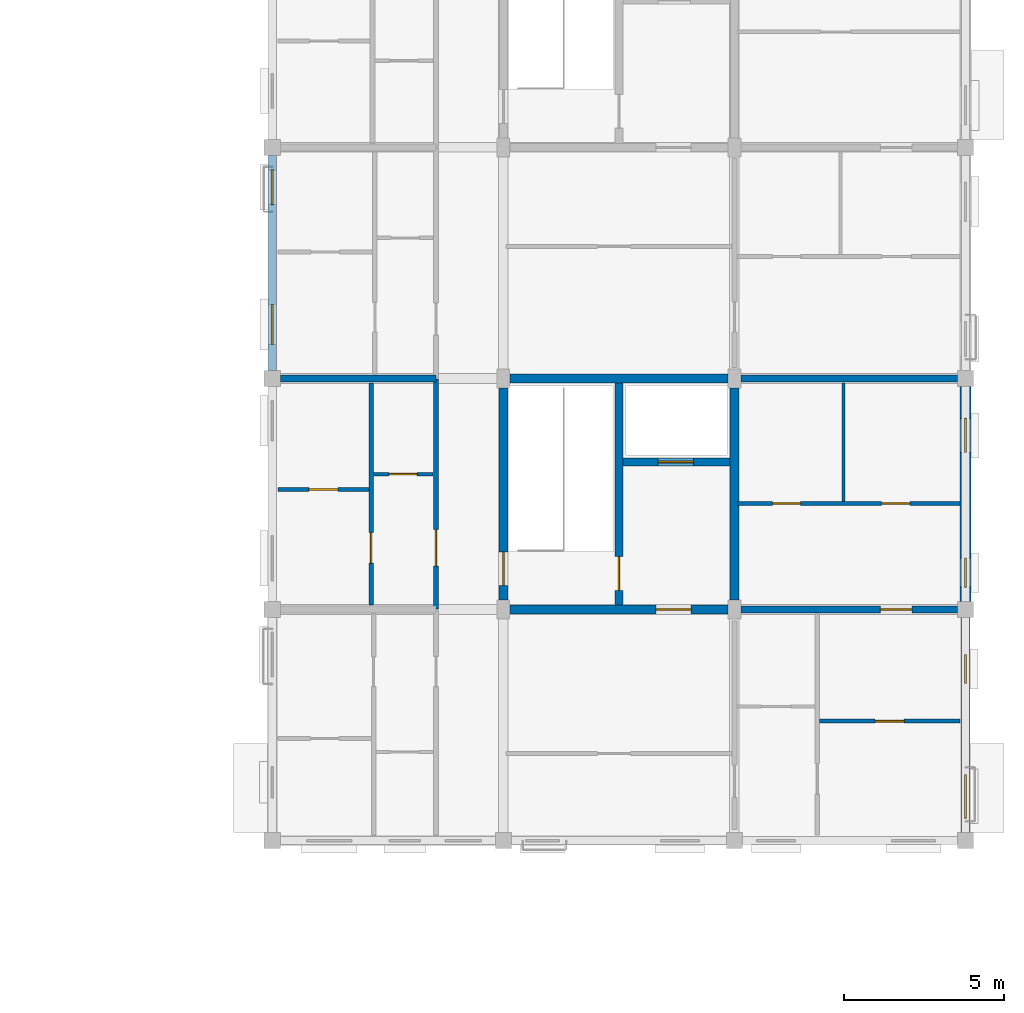
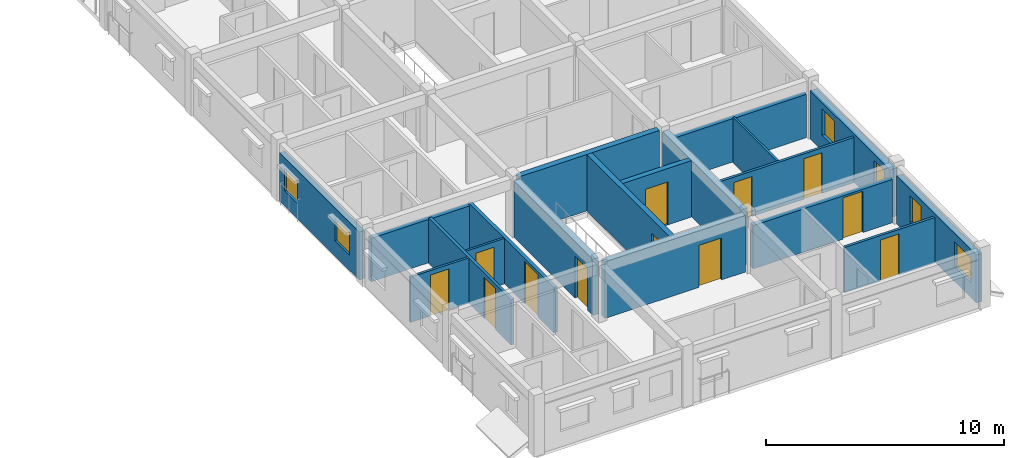
# One storey, part 22 of 38: 19 walls, 12 doors, 6 windows, 18 openings.
"""IFC4 building model written with IfcOpenShell, lengths in metres."""

from ifc_helpers import new_model, si_unit, direction, frame, frame_2d, origin, place, context, subcontext, project, spatial, rectangle, extrude, material, layer, layer_set, type_object, element, fill, save


model = new_model("IFC4")

# Units and contexts
model_context = context("Model", 3, precision=1e-05, world=origin(), true_north=direction((0.0, 1.0)))
body_context = subcontext(model_context, "Body", "Model", "MODEL_VIEW")
ifc_project = project(units=[si_unit("LENGTHUNIT", "METRE"), si_unit("AREAUNIT", "SQUARE_METRE"), si_unit("VOLUMEUNIT", "CUBIC_METRE"), si_unit("PLANEANGLEUNIT", "RADIAN"), si_unit("MASSUNIT", "GRAM", prefix="KILO"), si_unit("THERMODYNAMICTEMPERATUREUNIT", "KELVIN"), si_unit("POWERUNIT", "WATT")], contexts=[model_context])

# Site, building, storey
site_placement = place(None, origin())
site = spatial("IfcSite", under=ifc_project, at=site_placement, CompositionType="ELEMENT")
building_placement = place(site_placement, origin())
building = spatial("IfcBuilding", under=site, at=building_placement, Name="Tavuni Mirador Residences", CompositionType="ELEMENT")
storey_placement = place(building_placement, frame((0.0, 0.0, 32.85009765625)))
storey = spatial("IfcBuildingStorey", under=building, at=storey_placement, Name="L10", CompositionType="ELEMENT", Elevation=32.85009765625)

# Wall, opening, door
ifc_material_1 = material(Name="Precast concrete C40/50", Category="concrete")
ifc_layer_1 = layer(ifc_material_1, 0.25, Name="Precast concrete C40/50", Category="concrete")
ifc_layer_set_1 = layer_set([ifc_layer_1], Name="Precast concrete C40/50")
wall_type_1 = type_object("IfcWallType", Name="WT-COR250", PredefinedType="SHEAR", material=ifc_layer_set_1)
wall_1_placement = place(storey_placement, frame((108.0, 93.739990234375, 0.0), z_axis=(0.0, 0.0, 1.0), x_axis=(0.0, 1.0, 0.0)))
wall_1 = element("IfcWall", 1, at=wall_1_placement, inside=storey, type_object=wall_type_1, Name="CWALL-C7-L10-MID", PredefinedType="SHEAR", context=body_context, shape_type="SweptSolid", body=[
    extrude(rectangle(XDim=6.919921875, YDim=0.25, at=frame_2d((3.4599609375, 0.0))), origin(), (0.0, 0.0, 1.0), 2.889892578125),
])
opening_1_placement = place(wall_1_placement, frame((0.4599609375, 0.0, 0.0)))
opening_1 = element("IfcOpeningElement", 2, at=opening_1_placement, cuts=wall_1, Name="Opening D-01", PredefinedType="OPENING", context=body_context, shape_type="SweptSolid", body=[
    extrude(rectangle(XDim=1.050048828125, YDim=2.14990234375, at=frame_2d((0.52490234375, 1.074951171875))), frame((0.0, 0.135009765625, 0.0), z_axis=(0.0, -1.0, 0.0), x_axis=(1.0, 0.0, 0.0)), (0.0, 0.0, 1.0), 0.27001953125),
])
ifc_material_2 = material(Name="Solid core iroko timber", Category="wood")
door_type_1 = type_object("IfcDoorType", Name="DT-ST1050", OperationType="NOTDEFINED", PredefinedType="DOOR", material=ifc_material_2)
door_1_placement = place(opening_1_placement, origin())
door_1 = element("IfcDoor", 3, at=door_1_placement, inside=storey, type_object=door_type_1, Name="DR-2307", OperationType="SINGLE_SWING_LEFT", OverallHeight=2.14990234375, OverallWidth=1.050048828125, PredefinedType="DOOR", context=body_context, shape_type="SweptSolid", body=[
    extrude(rectangle(XDim=1.050048828125, YDim=2.14990234375, at=frame_2d((0.52490234375, 1.074951171875))), frame((0.0, 0.02490234375, 0.0), z_axis=(0.0, -1.0, 0.0), x_axis=(1.0, 0.0, 0.0)), (0.0, 0.0, 1.0), 0.050048828125),
])
fill(opening_1, door_1)

wall_2_placement = place(storey_placement, frame((108.125, 98.199951171875, 0.0), z_axis=(0.0, 0.0, 1.0), x_axis=(1.0, 0.0, 0.0)))
wall_2 = element("IfcWall", 4, at=wall_2_placement, inside=storey, type_object=wall_type_1, Name="CWALL-C7-L10-SHF", PredefinedType="SHEAR", context=body_context, shape_type="SweptSolid", body=[
    extrude(rectangle(XDim=3.3349609375, YDim=0.25, at=frame_2d((1.66748046875, 0.0))), origin(), (0.0, 0.0, 1.0), 2.889892578125),
])
opening_2_placement = place(wall_2_placement, frame((1.10009765625, 0.0, 0.0)))
opening_2 = element("IfcOpeningElement", 5, at=opening_2_placement, cuts=wall_2, Name="Opening LD-01", PredefinedType="OPENING", context=body_context, shape_type="SweptSolid", body=[
    extrude(rectangle(XDim=1.10009765625, YDim=2.199951171875, at=frame_2d((0.550048828125, 1.10009765625))), frame((0.0, 0.135009765625, 0.0), z_axis=(0.0, -1.0, 0.0), x_axis=(1.0, 0.0, 0.0)), (0.0, 0.0, 1.0), 0.27001953125),
])
ifc_material_3 = material(Name="Structural steel S355", Category="steel")
door_type_2 = type_object("IfcDoorType", Name="DT-LD-FF", OperationType="SLIDING_TO_LEFT", PredefinedType="DOOR", material=ifc_material_3)
door_2_placement = place(opening_2_placement, origin())
door_2 = element("IfcDoor", 6, at=door_2_placement, inside=storey, type_object=door_type_2, Name="Lift landing door FL-D1 L10", OperationType="SLIDING_TO_LEFT", OverallHeight=2.199951171875, OverallWidth=1.10009765625, PredefinedType="DOOR", context=body_context, shape_type="SweptSolid", body=[
    extrude(rectangle(XDim=1.10009765625, YDim=2.199951171875, at=frame_2d((0.550048828125, 1.10009765625))), frame((0.0, 0.02490234375, 0.0), z_axis=(0.0, -1.0, 0.0), x_axis=(1.0, 0.0, 0.0)), (0.0, 0.0, 1.0), 0.050048828125),
])
fill(opening_2, door_2)

ifc_layer_2 = layer(ifc_material_1, 0.280029296875, Name="Precast concrete C40/50", Category="concrete")
ifc_layer_set_2 = layer_set([ifc_layer_2], Name="Precast concrete C40/50")
wall_type_2 = type_object("IfcWallType", Name="WT-COR280", PredefinedType="SHEAR", material=ifc_layer_set_2)
wall_3_placement = place(storey_placement, frame((104.39990234375, 93.89990234375, 0.0), z_axis=(0.0, 0.0, 1.0), x_axis=(0.0, 1.0, 0.0)))
wall_3 = element("IfcWall", 7, at=wall_3_placement, inside=storey, type_object=wall_type_2, Name="CWALL-C7-L10-W", PredefinedType="SHEAR", context=body_context, shape_type="SweptSolid", body=[
    extrude(rectangle(XDim=6.60009765625, YDim=0.280029296875, at=frame_2d((3.300048828125, 0.0))), origin(), (0.0, 0.0, 1.0), 2.889892578125),
])
opening_3_placement = place(wall_3_placement, frame((0.449951171875, 0.0, 0.0)))
opening_3 = element("IfcOpeningElement", 8, at=opening_3_placement, cuts=wall_3, Name="Opening D-01", PredefinedType="OPENING", context=body_context, shape_type="SweptSolid", body=[
    extrude(rectangle(XDim=1.050048828125, YDim=2.14990234375, at=frame_2d((0.52490234375, 1.074951171875))), frame((0.0, 0.14990234375, 0.0), z_axis=(0.0, -1.0, 0.0), x_axis=(1.0, 0.0, 0.0)), (0.0, 0.0, 1.0), 0.300048828125),
])
door_3_placement = place(opening_3_placement, origin())
door_3 = element("IfcDoor", 9, at=door_3_placement, inside=storey, type_object=door_type_1, Name="DR-2305", OperationType="SINGLE_SWING_RIGHT", OverallHeight=2.14990234375, OverallWidth=1.050048828125, PredefinedType="DOOR", context=body_context, shape_type="SweptSolid", body=[
    extrude(rectangle(XDim=1.050048828125, YDim=2.14990234375, at=frame_2d((0.52490234375, 1.074951171875))), frame((0.0, 0.02490234375, 0.0), z_axis=(0.0, -1.0, 0.0), x_axis=(1.0, 0.0, 0.0)), (0.0, 0.0, 1.0), 0.050048828125),
])
fill(opening_3, door_3)

# Walls
wall_4_placement = place(storey_placement, frame((104.60009765625, 100.800048828125, 0.0), z_axis=(0.0, 0.0, 1.0), x_axis=(1.0, 0.0, 0.0)))
element("IfcWall", 10, at=wall_4_placement, inside=storey, type_object=wall_type_2, Name="CWALL-C7-L10-N", PredefinedType="SHEAR", context=body_context, shape_type="SweptSolid", body=[
    extrude(rectangle(XDim=6.7998046875, YDim=0.280029296875, at=frame_2d((3.39990234375, 0.0))), origin(), (0.0, 0.0, 1.0), 2.889892578125),
])
wall_5_placement = place(storey_placement, frame((111.60009765625, 93.89990234375, 0.0), z_axis=(0.0, 0.0, 1.0), x_axis=(0.0, 1.0, 0.0)))
element("IfcWall", 11, at=wall_5_placement, inside=storey, type_object=wall_type_2, Name="CWALL-C7-L10-E", PredefinedType="SHEAR", context=body_context, shape_type="SweptSolid", body=[
    extrude(rectangle(XDim=6.60009765625, YDim=0.280029296875, at=frame_2d((3.300048828125, 0.0))), origin(), (0.0, 0.0, 1.0), 2.889892578125),
])

# Wall, opening, door
wall_6_placement = place(storey_placement, frame((104.60009765625, 93.60009765625, 0.0), z_axis=(0.0, 0.0, 1.0), x_axis=(1.0, 0.0, 0.0)))
wall_6 = element("IfcWall", 12, at=wall_6_placement, inside=storey, type_object=wall_type_2, Name="CWALL-C7-L10-SS", PredefinedType="SHEAR", context=body_context, shape_type="SweptSolid", body=[
    extrude(rectangle(XDim=6.7998046875, YDim=0.280029296875, at=frame_2d((3.39990234375, 0.0))), origin(), (0.0, 0.0, 1.0), 2.889892578125),
])
opening_4_placement = place(wall_6_placement, frame((4.550048828125, 0.0, 0.0)))
opening_4 = element("IfcOpeningElement", 13, at=opening_4_placement, cuts=wall_6, Name="Opening D-02", PredefinedType="OPENING", context=body_context, shape_type="SweptSolid", body=[
    extrude(rectangle(XDim=1.10009765625, YDim=2.14990234375, at=frame_2d((0.550048828125, 1.074951171875))), frame((0.0, 0.14990234375, 0.0), z_axis=(0.0, -1.0, 0.0), x_axis=(1.0, 0.0, 0.0)), (0.0, 0.0, 1.0), 0.300048828125),
])
door_type_3 = type_object("IfcDoorType", Name="DT-LOB1100", OperationType="NOTDEFINED", PredefinedType="DOOR", material=ifc_material_2)
door_4_placement = place(opening_4_placement, frame((1.10009765625, 0.0, 0.0), z_axis=(0.0, 0.0, 1.0), x_axis=(-1.0, 0.0, 0.0)))
door_4 = element("IfcDoor", 14, at=door_4_placement, inside=storey, type_object=door_type_3, Name="DR-2306", OperationType="SINGLE_SWING_RIGHT", OverallHeight=2.14990234375, OverallWidth=1.10009765625, PredefinedType="DOOR", context=body_context, shape_type="SweptSolid", body=[
    extrude(rectangle(XDim=1.10009765625, YDim=2.14990234375, at=frame_2d((0.550048828125, 1.074951171875))), frame((0.0, 0.02490234375, 0.0), z_axis=(0.0, -1.0, 0.0), x_axis=(1.0, 0.0, 0.0)), (0.0, 0.0, 1.0), 0.050048828125),
])
fill(opening_4, door_4)

ifc_layer_3 = layer(ifc_material_1, 0.1650390625, Name="Precast concrete C40/50", Category="concrete")
ifc_layer_set_3 = layer_set([ifc_layer_3], Name="Precast concrete C40/50")
wall_type_3 = type_object("IfcWallType", Name="WT-CORR165", PredefinedType="PARTITIONING", material=ifc_layer_set_3)
wall_7_placement = place(storey_placement, frame((102.300048828125, 93.6201171875, 0.0), z_axis=(0.0, 0.0, 1.0), x_axis=(0.0, 1.0, 0.0)))
wall_7 = element("IfcWall", 15, at=wall_7_placement, inside=storey, type_object=wall_type_3, Name="CORW-BLK-D-L10-0-01", PredefinedType="PARTITIONING", context=body_context, shape_type="SweptSolid", body=[
    extrude(rectangle(XDim=7.159912109375, YDim=0.1650390625, at=frame_2d((3.580078125, 0.0))), origin(), (0.0, 0.0, 1.0), 2.324951171875),
])
opening_5_placement = place(wall_7_placement, frame((1.330078125, 0.0, 0.0)))
opening_5 = element("IfcOpeningElement", 16, at=opening_5_placement, cuts=wall_7, Name="Opening D-20", PredefinedType="OPENING", context=body_context, shape_type="SweptSolid", body=[
    extrude(rectangle(XDim=1.139892578125, YDim=2.179931640625, at=frame_2d((0.56982421875, 1.08984375))), frame((0.0, 0.092529296875, 0.0), z_axis=(0.0, -1.0, 0.0), x_axis=(1.0, 0.0, 0.0)), (0.0, 0.0, 1.0), 0.18505859375),
])
door_type_4 = type_object("IfcDoorType", Name="DT-FD60-1140", OperationType="NOTDEFINED", PredefinedType="DOOR", material=ifc_material_2)
door_5_placement = place(opening_5_placement, origin())
door_5 = element("IfcDoor", 17, at=door_5_placement, inside=storey, type_object=door_type_4, Name="DR-2924", OperationType="SINGLE_SWING_LEFT", OverallHeight=2.179931640625, OverallWidth=1.139892578125, PredefinedType="DOOR", context=body_context, shape_type="SweptSolid", body=[
    extrude(rectangle(XDim=1.139892578125, YDim=2.179931640625, at=frame_2d((0.56982421875, 1.08984375))), frame((0.0, 0.02490234375, 0.0), z_axis=(0.0, -1.0, 0.0), x_axis=(1.0, 0.0, 0.0)), (0.0, 0.0, 1.0), 0.050048828125),
])
fill(opening_5, door_5)

# Wall, openings, windows
ifc_material_4 = material(Name="Sgraffito lime-rendered precast concrete C40/50", Category="concrete")
ifc_layer_4 = layer(ifc_material_4, 0.2548828125, Name="Sgraffito lime-rendered precast concrete C40/50", Category="concrete")
ifc_layer_set_4 = layer_set([ifc_layer_4], Name="Sgraffito lime-rendered precast concrete C40/50")
wall_type_4 = type_object("IfcWallType", Name="WT-EXT-PC255", PredefinedType="SOLIDWALL", material=ifc_layer_set_4)
wall_8_placement = place(storey_placement, frame((97.199951171875, 107.75, 0.0), z_axis=(0.0, 0.0, 1.0), x_axis=(0.0, -1.0, 0.0)))
wall_8 = element("IfcWall", 18, at=wall_8_placement, inside=storey, type_object=wall_type_4, Name="EW-BLK-D-L10-W02", PredefinedType="SOLIDWALL", context=body_context, shape_type="SweptSolid", body=[
    extrude(rectangle(XDim=6.699951171875, YDim=0.2548828125, at=frame_2d((3.35009765625, 0.0))), origin(), (0.0, 0.0, 1.0), 2.4599609375),
])
opening_6_placement = place(wall_8_placement, frame((0.449951171875, 0.0, 0.780029296875)))
opening_6 = element("IfcOpeningElement", 19, at=opening_6_placement, cuts=wall_8, Name="Opening WN-04", PredefinedType="OPENING", context=body_context, shape_type="SweptSolid", body=[
    extrude(rectangle(XDim=1.080078125, YDim=1.14990234375, at=frame_2d((0.5400390625, 0.574951171875))), frame((0.0, 0.137451171875, 0.0), z_axis=(0.0, -1.0, 0.0), x_axis=(1.0, 0.0, 0.0)), (0.0, 0.0, 1.0), 0.27490234375),
])
opening_7_placement = place(wall_8_placement, frame((4.64990234375, 0.0, 0.780029296875)))
opening_7 = element("IfcOpeningElement", 20, at=opening_7_placement, cuts=wall_8, Name="Opening WN-06", PredefinedType="OPENING", context=body_context, shape_type="SweptSolid", body=[
    extrude(rectangle(XDim=1.239990234375, YDim=1.14990234375, at=frame_2d((0.6201171875, 0.574951171875))), frame((0.0, 0.137451171875, 0.0), z_axis=(0.0, -1.0, 0.0), x_axis=(1.0, 0.0, 0.0)), (0.0, 0.0, 1.0), 0.27490234375),
])
ifc_material_5 = material(Name="Laminated solar-control glass", Category="glass")
window_type_1 = type_object("IfcWindowType", Name="WNT-04", PartitioningType="SINGLE_PANEL", PredefinedType="WINDOW", material=ifc_material_5)
window_1_placement = place(opening_6_placement, origin())
window_1 = element("IfcWindow", 21, at=window_1_placement, inside=storey, type_object=window_type_1, Name="WIN-1823", OverallHeight=1.14990234375, OverallWidth=1.080078125, PartitioningType="SINGLE_PANEL", PredefinedType="WINDOW", context=body_context, shape_type="SweptSolid", body=[
    extrude(rectangle(XDim=1.080078125, YDim=1.14990234375, at=frame_2d((0.5400390625, 0.574951171875))), frame((0.0, 0.030029296875, 0.0), z_axis=(0.0, -1.0, 0.0), x_axis=(1.0, 0.0, 0.0)), (0.0, 0.0, 1.0), 0.06005859375),
])
fill(opening_6, window_1)
window_type_2 = type_object("IfcWindowType", Name="WNT-06", PartitioningType="SINGLE_PANEL", PredefinedType="WINDOW", material=ifc_material_5)
window_2_placement = place(opening_7_placement, origin())
window_2 = element("IfcWindow", 22, at=window_2_placement, inside=storey, type_object=window_type_2, Name="WIN-1824", OverallHeight=1.14990234375, OverallWidth=1.239990234375, PartitioningType="SINGLE_PANEL", PredefinedType="WINDOW", context=body_context, shape_type="SweptSolid", body=[
    extrude(rectangle(XDim=1.239990234375, YDim=1.14990234375, at=frame_2d((0.6201171875, 0.574951171875))), frame((0.0, 0.030029296875, 0.0), z_axis=(0.0, -1.0, 0.0), x_axis=(1.0, 0.0, 0.0)), (0.0, 0.0, 1.0), 0.06005859375),
])
fill(opening_7, window_2)

ifc_layer_5 = layer(ifc_material_4, 0.2900390625, Name="Sgraffito lime-rendered precast concrete C40/50", Category="concrete")
ifc_layer_set_5 = layer_set([ifc_layer_5], Name="Sgraffito lime-rendered precast concrete C40/50")
wall_type_5 = type_object("IfcWallType", Name="WT-EXT-PC290", PredefinedType="SOLIDWALL", material=ifc_layer_set_5)
wall_9_placement = place(storey_placement, frame((118.800048828125, 86.64990234375, 0.0), z_axis=(0.0, 0.0, 1.0), x_axis=(0.0, 1.0, 0.0)))
wall_9 = element("IfcWall", 23, at=wall_9_placement, inside=storey, type_object=wall_type_5, Name="EW-BLK-D-L10-E00", PredefinedType="SOLIDWALL", context=body_context, shape_type="SweptSolid", body=[
    extrude(rectangle(XDim=6.7001953125, YDim=0.2900390625, at=frame_2d((3.35009765625, 0.0))), origin(), (0.0, 0.0, 1.0), 2.4599609375),
])
opening_8_placement = place(wall_9_placement, frame((0.449951171875, 0.0, 0.780029296875)))
opening_8 = element("IfcOpeningElement", 24, at=opening_8_placement, cuts=wall_9, Name="Opening WN-15", PredefinedType="OPENING", context=body_context, shape_type="SweptSolid", body=[
    extrude(rectangle(XDim=1.360107421875, YDim=1.260009765625, at=frame_2d((0.68017578125, 0.6298828125))), frame((0.0, 0.155029296875, 0.0), z_axis=(0.0, -1.0, 0.0), x_axis=(1.0, 0.0, 0.0)), (0.0, 0.0, 1.0), 0.31005859375),
])
opening_9_placement = place(wall_9_placement, frame((4.64990234375, 0.0, 0.780029296875)))
opening_9 = element("IfcOpeningElement", 25, at=opening_9_placement, cuts=wall_9, Name="Opening WN-17", PredefinedType="OPENING", context=body_context, shape_type="SweptSolid", body=[
    extrude(rectangle(XDim=0.89990234375, YDim=1.360107421875, at=frame_2d((0.449951171875, 0.68017578125))), frame((0.0, 0.155029296875, 0.0), z_axis=(0.0, -1.0, 0.0), x_axis=(1.0, 0.0, 0.0)), (0.0, 0.0, 1.0), 0.31005859375),
])
window_type_3 = type_object("IfcWindowType", Name="WNT-15", PartitioningType="SINGLE_PANEL", PredefinedType="WINDOW", material=ifc_material_5)
window_3_placement = place(opening_8_placement, origin())
window_3 = element("IfcWindow", 26, at=window_3_placement, inside=storey, type_object=window_type_3, Name="WIN-1804", OverallHeight=1.260009765625, OverallWidth=1.360107421875, PartitioningType="SINGLE_PANEL", PredefinedType="WINDOW", context=body_context, shape_type="SweptSolid", body=[
    extrude(rectangle(XDim=1.360107421875, YDim=1.260009765625, at=frame_2d((0.68017578125, 0.6298828125))), frame((0.0, 0.030029296875, 0.0), z_axis=(0.0, -1.0, 0.0), x_axis=(1.0, 0.0, 0.0)), (0.0, 0.0, 1.0), 0.06005859375),
])
fill(opening_8, window_3)
window_type_4 = type_object("IfcWindowType", Name="WNT-17", PartitioningType="SINGLE_PANEL", PredefinedType="WINDOW", material=ifc_material_5)
window_4_placement = place(opening_9_placement, origin())
window_4 = element("IfcWindow", 27, at=window_4_placement, inside=storey, type_object=window_type_4, Name="WIN-1805", OverallHeight=1.360107421875, OverallWidth=0.89990234375, PartitioningType="SINGLE_PANEL", PredefinedType="WINDOW", context=body_context, shape_type="SweptSolid", body=[
    extrude(rectangle(XDim=0.89990234375, YDim=1.360107421875, at=frame_2d((0.449951171875, 0.68017578125))), frame((0.0, 0.030029296875, 0.0), z_axis=(0.0, -1.0, 0.0), x_axis=(1.0, 0.0, 0.0)), (0.0, 0.0, 1.0), 0.06005859375),
])
fill(opening_9, window_4)

ifc_layer_6 = layer(ifc_material_4, 0.344970703125, Name="Sgraffito lime-rendered precast concrete C40/50", Category="concrete")
ifc_layer_set_6 = layer_set([ifc_layer_6], Name="Sgraffito lime-rendered precast concrete C40/50")
wall_type_6 = type_object("IfcWallType", Name="WT-EXT-PTY345", PredefinedType="SOLIDWALL", material=ifc_layer_set_6)
wall_10_placement = place(storey_placement, frame((118.800048828125, 93.85009765625, 0.0), z_axis=(0.0, 0.0, 1.0), x_axis=(0.0, 1.0, 0.0)))
wall_10 = element("IfcWall", 28, at=wall_10_placement, inside=storey, type_object=wall_type_6, Name="EW-BLK-D-L10-E01", PredefinedType="SOLIDWALL", context=body_context, shape_type="SweptSolid", body=[
    extrude(rectangle(XDim=6.699951171875, YDim=0.344970703125, at=frame_2d((3.35009765625, 0.0))), origin(), (0.0, 0.0, 1.0), 2.4599609375),
])
opening_10_placement = place(wall_10_placement, frame((0.449951171875, 0.0, 0.780029296875)))
opening_10 = element("IfcOpeningElement", 29, at=opening_10_placement, cuts=wall_10, Name="Opening WN-17", PredefinedType="OPENING", context=body_context, shape_type="SweptSolid", body=[
    extrude(rectangle(XDim=0.89990234375, YDim=1.360107421875, at=frame_2d((0.449951171875, 0.68017578125))), frame((0.0, 0.1826171875, 0.0), z_axis=(0.0, -1.0, 0.0), x_axis=(1.0, 0.0, 0.0)), (0.0, 0.0, 1.0), 0.364990234375),
])
opening_11_placement = place(wall_10_placement, frame((4.64990234375, 0.0, 0.780029296875)))
opening_11 = element("IfcOpeningElement", 30, at=opening_11_placement, cuts=wall_10, Name="Opening WN-19", PredefinedType="OPENING", context=body_context, shape_type="SweptSolid", body=[
    extrude(rectangle(XDim=1.06005859375, YDim=1.360107421875, at=frame_2d((0.530029296875, 0.68017578125))), frame((0.0, 0.1826171875, 0.0), z_axis=(0.0, -1.0, 0.0), x_axis=(1.0, 0.0, 0.0)), (0.0, 0.0, 1.0), 0.364990234375),
])
window_5_placement = place(opening_10_placement, origin())
window_5 = element("IfcWindow", 31, at=window_5_placement, inside=storey, type_object=window_type_4, Name="WIN-1806", OverallHeight=1.360107421875, OverallWidth=0.89990234375, PartitioningType="SINGLE_PANEL", PredefinedType="WINDOW", context=body_context, shape_type="SweptSolid", body=[
    extrude(rectangle(XDim=0.89990234375, YDim=1.360107421875, at=frame_2d((0.449951171875, 0.68017578125))), frame((0.0, 0.030029296875, 0.0), z_axis=(0.0, -1.0, 0.0), x_axis=(1.0, 0.0, 0.0)), (0.0, 0.0, 1.0), 0.06005859375),
])
fill(opening_10, window_5)
window_type_5 = type_object("IfcWindowType", Name="WNT-19", PartitioningType="SINGLE_PANEL", PredefinedType="WINDOW", material=ifc_material_5)
window_6_placement = place(opening_11_placement, origin())
window_6 = element("IfcWindow", 32, at=window_6_placement, inside=storey, type_object=window_type_5, Name="WIN-1807", OverallHeight=1.360107421875, OverallWidth=1.06005859375, PartitioningType="SINGLE_PANEL", PredefinedType="WINDOW", context=body_context, shape_type="SweptSolid", body=[
    extrude(rectangle(XDim=1.06005859375, YDim=1.360107421875, at=frame_2d((0.530029296875, 0.68017578125))), frame((0.0, 0.030029296875, 0.0), z_axis=(0.0, -1.0, 0.0), x_axis=(1.0, 0.0, 0.0)), (0.0, 0.0, 1.0), 0.06005859375),
])
fill(opening_11, window_6)

# Wall
ifc_material_6 = material(Name="Acoustic gypsum and concrete block partition", Category="concrete")
ifc_layer_7 = layer(ifc_material_6, 0.094970703125, Name="Acoustic gypsum and concrete block partition", Category="concrete")
ifc_layer_set_7 = layer_set([ifc_layer_7], Name="Acoustic gypsum and concrete block partition")
wall_type_7 = type_object("IfcWallType", Name="WT-PART095", PredefinedType="PARTITIONING", material=ifc_layer_set_7)
wall_11_placement = place(storey_placement, frame((115.0, 96.969970703125, 0.0), z_axis=(0.0, 0.0, 1.0), x_axis=(0.0, 1.0, 0.0)))
element("IfcWall", 33, at=wall_11_placement, inside=storey, type_object=wall_type_7, Name="PW-BLK-D-L10-PF01-V", PredefinedType="PARTITIONING", context=body_context, shape_type="SweptSolid", body=[
    extrude(rectangle(XDim=3.68994140625, YDim=0.094970703125, at=frame_2d((1.844970703125, 0.0))), origin(), (0.0, 0.0, 1.0), 2.324951171875),
])

# Wall, opening, door
ifc_layer_8 = layer(ifc_material_6, 0.10498046875, Name="Acoustic gypsum and concrete block partition", Category="concrete")
ifc_layer_set_8 = layer_set([ifc_layer_8], Name="Acoustic gypsum and concrete block partition")
wall_type_8 = type_object("IfcWallType", Name="WT-PART105", PredefinedType="PARTITIONING", material=ifc_layer_set_8)
wall_12_placement = place(storey_placement, frame((100.35009765625, 97.820068359375, 0.0), z_axis=(0.0, 0.0, 1.0), x_axis=(1.0, 0.0, 0.0)))
wall_12 = element("IfcWall", 34, at=wall_12_placement, inside=storey, type_object=wall_type_8, Name="PW-BLK-D-L10-W01-IN1", PredefinedType="PARTITIONING", context=body_context, shape_type="SweptSolid", body=[
    extrude(rectangle(XDim=1.85986328125, YDim=0.10498046875, at=frame_2d((0.929931640625, 0.0))), origin(), (0.0, 0.0, 1.0), 2.324951171875),
])
opening_12_placement = place(wall_12_placement, frame((0.4951171875, 0.0, 0.0)))
opening_12 = element("IfcOpeningElement", 35, at=opening_12_placement, cuts=wall_12, Name="Opening D-10", PredefinedType="OPENING", context=body_context, shape_type="SweptSolid", body=[
    extrude(rectangle(XDim=0.8701171875, YDim=2.050048828125, at=frame_2d((0.43505859375, 1.02490234375))), frame((0.0, 0.0625, 0.0), z_axis=(0.0, -1.0, 0.0), x_axis=(1.0, 0.0, 0.0)), (0.0, 0.0, 1.0), 0.125),
])
door_type_5 = type_object("IfcDoorType", Name="DT-WC870", OperationType="NOTDEFINED", PredefinedType="DOOR", material=ifc_material_2)
door_6_placement = place(opening_12_placement, origin())
door_6 = element("IfcDoor", 36, at=door_6_placement, inside=storey, type_object=door_type_5, Name="DR-4654", OperationType="SINGLE_SWING_RIGHT", OverallHeight=2.050048828125, OverallWidth=0.8701171875, PredefinedType="DOOR", context=body_context, shape_type="SweptSolid", body=[
    extrude(rectangle(XDim=0.8701171875, YDim=2.050048828125, at=frame_2d((0.43505859375, 1.02490234375))), frame((0.0, 0.02490234375, 0.0), z_axis=(0.0, -1.0, 0.0), x_axis=(1.0, 0.0, 0.0)), (0.0, 0.0, 1.0), 0.050048828125),
])
fill(opening_12, door_6)

ifc_layer_9 = layer(ifc_material_6, 0.114990234375, Name="Acoustic gypsum and concrete block partition", Category="concrete")
ifc_layer_set_9 = layer_set([ifc_layer_9], Name="Acoustic gypsum and concrete block partition")
wall_type_9 = type_object("IfcWallType", Name="WT-PART115", PredefinedType="PARTITIONING", material=ifc_layer_set_9)
wall_13_placement = place(storey_placement, frame((97.375, 97.340087890625, 0.0), z_axis=(0.0, 0.0, 1.0), x_axis=(1.0, 0.0, 0.0)))
wall_13 = element("IfcWall", 37, at=wall_13_placement, inside=storey, type_object=wall_type_9, Name="PW-BLK-D-L10-W01-OUT", PredefinedType="PARTITIONING", context=body_context, shape_type="SweptSolid", body=[
    extrude(rectangle(XDim=2.8349609375, YDim=0.114990234375, at=frame_2d((1.41748046875, 0.0))), origin(), (0.0, 0.0, 1.0), 2.324951171875),
])
opening_13_placement = place(wall_13_placement, frame((0.967529296875, 0.0, 0.0)))
opening_13 = element("IfcOpeningElement", 38, at=opening_13_placement, cuts=wall_13, Name="Opening D-07", PredefinedType="OPENING", context=body_context, shape_type="SweptSolid", body=[
    extrude(rectangle(XDim=0.89990234375, YDim=2.10009765625, at=frame_2d((0.449951171875, 1.050048828125))), frame((0.0, 0.0673828125, 0.0), z_axis=(0.0, -1.0, 0.0), x_axis=(1.0, 0.0, 0.0)), (0.0, 0.0, 1.0), 0.135009765625),
])
door_type_6 = type_object("IfcDoorType", Name="DT-BED900", OperationType="NOTDEFINED", PredefinedType="DOOR", material=ifc_material_2)
door_7_placement = place(opening_13_placement, origin())
door_7 = element("IfcDoor", 39, at=door_7_placement, inside=storey, type_object=door_type_6, Name="DR-4653", OperationType="SINGLE_SWING_LEFT", OverallHeight=2.10009765625, OverallWidth=0.89990234375, PredefinedType="DOOR", context=body_context, shape_type="SweptSolid", body=[
    extrude(rectangle(XDim=0.89990234375, YDim=2.10009765625, at=frame_2d((0.449951171875, 1.050048828125))), frame((0.0, 0.02490234375, 0.0), z_axis=(0.0, -1.0, 0.0), x_axis=(1.0, 0.0, 0.0)), (0.0, 0.0, 1.0), 0.050048828125),
])
fill(opening_13, door_7)

ifc_layer_10 = layer(ifc_material_6, 0.125, Name="Acoustic gypsum and concrete block partition", Category="concrete")
ifc_layer_set_10 = layer_set([ifc_layer_10], Name="Acoustic gypsum and concrete block partition")
wall_type_10 = type_object("IfcWallType", Name="WT-PART125", PredefinedType="PARTITIONING", material=ifc_layer_set_10)
wall_14_placement = place(storey_placement, frame((114.25, 90.1201171875, 0.0), z_axis=(0.0, 0.0, 1.0), x_axis=(1.0, 0.0, 0.0)))
wall_14 = element("IfcWall", 40, at=wall_14_placement, inside=storey, type_object=wall_type_10, Name="PW-BLK-D-L10-E00-OUT", PredefinedType="PARTITIONING", context=body_context, shape_type="SweptSolid", body=[
    extrude(rectangle(XDim=4.375, YDim=0.125, at=frame_2d((2.1875, 0.0))), origin(), (0.0, 0.0, 1.0), 2.324951171875),
])
opening_14_placement = place(wall_14_placement, frame((1.737548828125, 0.0, 0.0)))
opening_14 = element("IfcOpeningElement", 41, at=opening_14_placement, cuts=wall_14, Name="Opening D-07", PredefinedType="OPENING", context=body_context, shape_type="SweptSolid", body=[
    extrude(rectangle(XDim=0.89990234375, YDim=2.10009765625, at=frame_2d((0.449951171875, 1.050048828125))), frame((0.0, 0.072509765625, 0.0), z_axis=(0.0, -1.0, 0.0), x_axis=(1.0, 0.0, 0.0)), (0.0, 0.0, 1.0), 0.14501953125),
])
door_8_placement = place(opening_14_placement, origin())
door_8 = element("IfcDoor", 42, at=door_8_placement, inside=storey, type_object=door_type_6, Name="DR-4650", OperationType="SINGLE_SWING_LEFT", OverallHeight=2.10009765625, OverallWidth=0.89990234375, PredefinedType="DOOR", context=body_context, shape_type="SweptSolid", body=[
    extrude(rectangle(XDim=0.89990234375, YDim=2.10009765625, at=frame_2d((0.449951171875, 1.050048828125))), frame((0.0, 0.02490234375, 0.0), z_axis=(0.0, -1.0, 0.0), x_axis=(1.0, 0.0, 0.0)), (0.0, 0.0, 1.0), 0.050048828125),
])
fill(opening_14, door_8)

# Wall, openings, doors
wall_15_placement = place(storey_placement, frame((111.68994140625, 96.89990234375, 0.0), z_axis=(0.0, 0.0, 1.0), x_axis=(1.0, 0.0, 0.0)))
wall_15 = element("IfcWall", 43, at=wall_15_placement, inside=storey, type_object=wall_type_10, Name="PW-BLK-D-L10-PF01-H", PredefinedType="PARTITIONING", context=body_context, shape_type="SweptSolid", body=[
    extrude(rectangle(XDim=6.93505859375, YDim=0.125, at=frame_2d((3.467529296875, 0.0))), origin(), (0.0, 0.0, 1.0), 2.324951171875),
])
opening_15_placement = place(wall_15_placement, frame((1.10009765625, 0.0, 0.0)))
opening_15 = element("IfcOpeningElement", 44, at=opening_15_placement, cuts=wall_15, Name="Opening D-10", PredefinedType="OPENING", context=body_context, shape_type="SweptSolid", body=[
    extrude(rectangle(XDim=0.8701171875, YDim=2.050048828125, at=frame_2d((0.43505859375, 1.02490234375))), frame((0.0, 0.072509765625, 0.0), z_axis=(0.0, -1.0, 0.0), x_axis=(1.0, 0.0, 0.0)), (0.0, 0.0, 1.0), 0.14501953125),
])
opening_16_placement = place(wall_15_placement, frame((4.5, 0.0, 0.0)))
opening_16 = element("IfcOpeningElement", 45, at=opening_16_placement, cuts=wall_15, Name="Opening D-08", PredefinedType="OPENING", context=body_context, shape_type="SweptSolid", body=[
    extrude(rectangle(XDim=0.8798828125, YDim=2.080078125, at=frame_2d((0.43994140625, 1.0400390625))), frame((0.0, 0.072509765625, 0.0), z_axis=(0.0, -1.0, 0.0), x_axis=(1.0, 0.0, 0.0)), (0.0, 0.0, 1.0), 0.14501953125),
])
door_type_7 = type_object("IfcDoorType", Name="DT-BED880", OperationType="NOTDEFINED", PredefinedType="DOOR", material=ifc_material_2)
door_9_placement = place(opening_16_placement, origin())
door_9 = element("IfcDoor", 46, at=door_9_placement, inside=storey, type_object=door_type_7, Name="DR-4657", OperationType="SINGLE_SWING_RIGHT", OverallHeight=2.080078125, OverallWidth=0.8798828125, PredefinedType="DOOR", context=body_context, shape_type="SweptSolid", body=[
    extrude(rectangle(XDim=0.8798828125, YDim=2.080078125, at=frame_2d((0.43994140625, 1.0400390625))), frame((0.0, 0.02490234375, 0.0), z_axis=(0.0, -1.0, 0.0), x_axis=(1.0, 0.0, 0.0)), (0.0, 0.0, 1.0), 0.050048828125),
])
fill(opening_16, door_9)
door_10_placement = place(opening_15_placement, origin())
door_10 = element("IfcDoor", 47, at=door_10_placement, inside=storey, type_object=door_type_5, Name="DR-4656", OperationType="SINGLE_SWING_LEFT", OverallHeight=2.050048828125, OverallWidth=0.8701171875, PredefinedType="DOOR", context=body_context, shape_type="SweptSolid", body=[
    extrude(rectangle(XDim=0.8701171875, YDim=2.050048828125, at=frame_2d((0.43505859375, 1.02490234375))), frame((0.0, 0.02490234375, 0.0), z_axis=(0.0, -1.0, 0.0), x_axis=(1.0, 0.0, 0.0)), (0.0, 0.0, 1.0), 0.050048828125),
])
fill(opening_15, door_10)

# Wall, opening, door
ifc_layer_11 = layer(ifc_material_6, 0.139892578125, Name="Acoustic gypsum and concrete block partition", Category="concrete")
ifc_layer_set_11 = layer_set([ifc_layer_11], Name="Acoustic gypsum and concrete block partition")
wall_type_11 = type_object("IfcWallType", Name="WT-PART140", PredefinedType="PARTITIONING", material=ifc_layer_set_11)
wall_16_placement = place(storey_placement, frame((100.280029296875, 93.739990234375, 0.0), z_axis=(0.0, 0.0, 1.0), x_axis=(0.0, 1.0, 0.0)))
wall_16 = element("IfcWall", 48, at=wall_16_placement, inside=storey, type_object=wall_type_11, Name="PW-BLK-D-L10-W01-MID", PredefinedType="PARTITIONING", context=body_context, shape_type="SweptSolid", body=[
    extrude(rectangle(XDim=6.919921875, YDim=0.139892578125, at=frame_2d((3.4599609375, 0.0))), origin(), (0.0, 0.0, 1.0), 2.324951171875),
])
opening_17_placement = place(wall_16_placement, frame((1.31005859375, 0.0, 0.0)))
opening_17 = element("IfcOpeningElement", 49, at=opening_17_placement, cuts=wall_16, Name="Opening D-05", PredefinedType="OPENING", context=body_context, shape_type="SweptSolid", body=[
    extrude(rectangle(XDim=0.949951171875, YDim=2.10009765625, at=frame_2d((0.47509765625, 1.050048828125))), frame((0.0, 0.080078125, 0.0), z_axis=(0.0, -1.0, 0.0), x_axis=(1.0, 0.0, 0.0)), (0.0, 0.0, 1.0), 0.159912109375),
])
door_type_8 = type_object("IfcDoorType", Name="DT-INT950", OperationType="NOTDEFINED", PredefinedType="DOOR", material=ifc_material_2)
door_11_placement = place(opening_17_placement, origin())
door_11 = element("IfcDoor", 50, at=door_11_placement, inside=storey, type_object=door_type_8, Name="DR-4655", OperationType="SINGLE_SWING_LEFT", OverallHeight=2.10009765625, OverallWidth=0.949951171875, PredefinedType="DOOR", context=body_context, shape_type="SweptSolid", body=[
    extrude(rectangle(XDim=0.949951171875, YDim=2.10009765625, at=frame_2d((0.47509765625, 1.050048828125))), frame((0.0, 0.02490234375, 0.0), z_axis=(0.0, -1.0, 0.0), x_axis=(1.0, 0.0, 0.0)), (0.0, 0.0, 1.0), 0.050048828125),
])
fill(opening_17, door_11)

ifc_layer_12 = layer(ifc_material_1, 0.215087890625, Name="Precast concrete C40/50", Category="concrete")
ifc_layer_set_12 = layer_set([ifc_layer_12], Name="Precast concrete C40/50")
wall_type_12 = type_object("IfcWallType", Name="WT-XW215", PredefinedType="SOLIDWALL", material=ifc_layer_set_12)
wall_17_placement = place(storey_placement, frame((111.800048828125, 93.60009765625, 0.0), z_axis=(0.0, 0.0, 1.0), x_axis=(1.0, 0.0, 0.0)))
wall_17 = element("IfcWall", 51, at=wall_17_placement, inside=storey, type_object=wall_type_12, Name="XW-BLK-D-L10-E-01", PredefinedType="SOLIDWALL", context=body_context, shape_type="SweptSolid", body=[
    extrude(rectangle(XDim=6.75, YDim=0.215087890625, at=frame_2d((3.375, 0.0))), origin(), (0.0, 0.0, 1.0), 2.219970703125),
])
opening_18_placement = place(wall_17_placement, frame((4.35009765625, 0.0, 0.0)))
opening_18 = element("IfcOpeningElement", 52, at=opening_18_placement, cuts=wall_17, Name="Opening D-04", PredefinedType="OPENING", context=body_context, shape_type="SweptSolid", body=[
    extrude(rectangle(XDim=0.97998046875, YDim=2.1201171875, at=frame_2d((0.489990234375, 1.06005859375))), frame((0.0, 0.11767578125, 0.0), z_axis=(0.0, -1.0, 0.0), x_axis=(1.0, 0.0, 0.0)), (0.0, 0.0, 1.0), 0.235107421875),
])
door_type_9 = type_object("IfcDoorType", Name="DT-FD60-980", OperationType="NOTDEFINED", PredefinedType="DOOR", material=ifc_material_2)
door_12_placement = place(opening_18_placement, origin())
door_12 = element("IfcDoor", 53, at=door_12_placement, inside=storey, type_object=door_type_9, Name="DR-4778", OperationType="SINGLE_SWING_LEFT", OverallHeight=2.1201171875, OverallWidth=0.97998046875, PredefinedType="DOOR", context=body_context, shape_type="SweptSolid", body=[
    extrude(rectangle(XDim=0.97998046875, YDim=2.1201171875, at=frame_2d((0.489990234375, 1.06005859375))), frame((0.0, 0.02490234375, 0.0), z_axis=(0.0, -1.0, 0.0), x_axis=(1.0, 0.0, 0.0)), (0.0, 0.0, 1.0), 0.050048828125),
])
fill(opening_18, door_12)

# Walls
wall_18_placement = place(storey_placement, frame((97.449951171875, 100.800048828125, 0.0), z_axis=(0.0, 0.0, 1.0), x_axis=(1.0, 0.0, 0.0)))
element("IfcWall", 54, at=wall_18_placement, inside=storey, type_object=wall_type_12, Name="XW-BLK-D-L10-W-02", PredefinedType="SOLIDWALL", context=body_context, shape_type="SweptSolid", body=[
    extrude(rectangle(XDim=4.85009765625, YDim=0.215087890625, at=frame_2d((2.425048828125, 0.0))), origin(), (0.0, 0.0, 1.0), 2.219970703125),
])
wall_19_placement = place(storey_placement, frame((111.800048828125, 100.800048828125, 0.0), z_axis=(0.0, 0.0, 1.0), x_axis=(1.0, 0.0, 0.0)))
element("IfcWall", 55, at=wall_19_placement, inside=storey, type_object=wall_type_12, Name="XW-BLK-D-L10-E-02", PredefinedType="SOLIDWALL", context=body_context, shape_type="SweptSolid", body=[
    extrude(rectangle(XDim=6.75, YDim=0.215087890625, at=frame_2d((3.375, 0.0))), origin(), (0.0, 0.0, 1.0), 2.219970703125),
])

save(model, "model.ifc")
